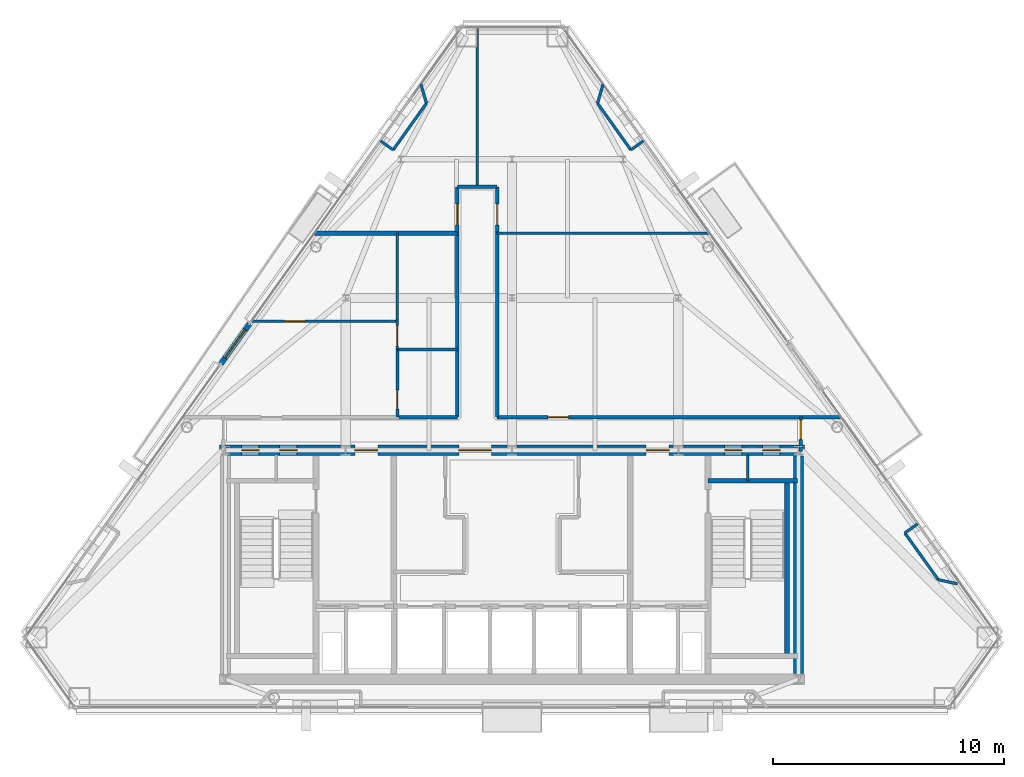
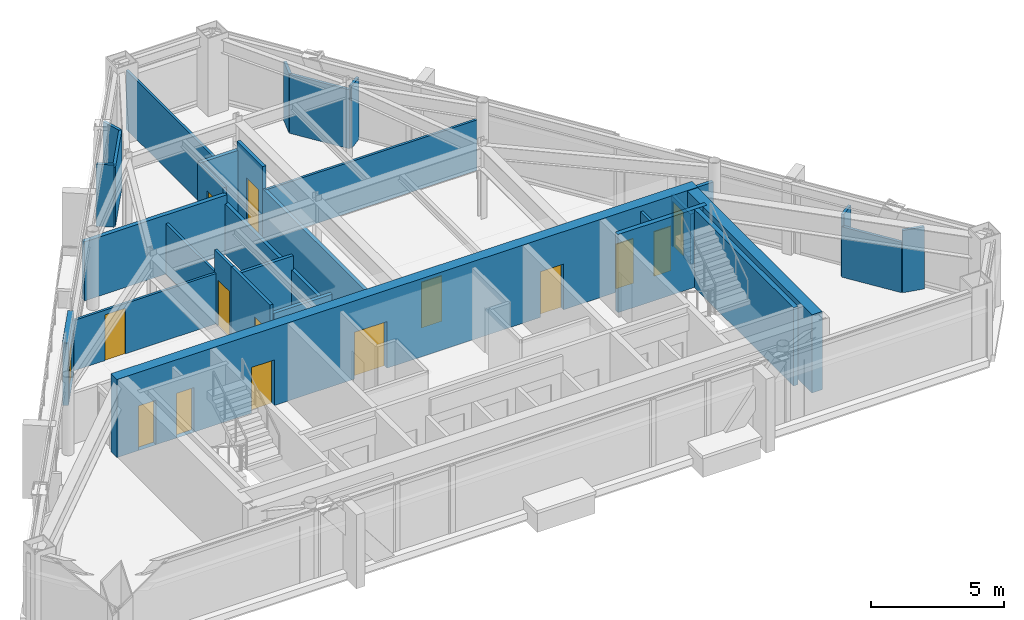
# One storey, part 9 of 12: 31 walls, 15 doors, 15 openings.
"""IFC4 building model written with IfcOpenShell, lengths in metres."""

from ifc_helpers import new_model, si_unit, direction, frame, frame_2d, origin, place, context, subcontext, project, spatial, rectangle, extrude, material, layer, layer_set, type_object, element, fill, save


model = new_model("IFC4")

# Units and contexts
model_context = context("Model", 3, precision=1e-05, world=origin(), true_north=direction((0.0, 1.0)))
body_context = subcontext(model_context, "Body", "Model", "MODEL_VIEW")
ifc_project = project(units=[si_unit("LENGTHUNIT", "METRE"), si_unit("AREAUNIT", "SQUARE_METRE"), si_unit("VOLUMEUNIT", "CUBIC_METRE"), si_unit("PLANEANGLEUNIT", "RADIAN"), si_unit("MASSUNIT", "GRAM", prefix="KILO")], contexts=[model_context])

# Site, building, storey
site_placement = place(None, origin())
site = spatial("IfcSite", under=ifc_project, at=site_placement, CompositionType="ELEMENT")
building_placement = place(site_placement, origin())
building = spatial("IfcBuilding", under=site, at=building_placement, Name="Talgorran Terracotta Tower", CompositionType="ELEMENT")
storey_placement = place(building_placement, frame((0.0, 0.0, 270.60009765625)))
storey = spatial("IfcBuildingStorey", under=building, at=storey_placement, Name="L71", CompositionType="ELEMENT", Elevation=270.60009765625)

# Wall, opening, door
ifc_material_1 = material(Name="Concrete C40/50", Category="concrete")
ifc_layer_1 = layer(ifc_material_1, 0.239990234375, Name="WT_BALCONY_SPAND")
ifc_layer_set_1 = layer_set([ifc_layer_1], Name="Concrete C40/50")
wall_type_1 = type_object("IfcWallType", Name="WT_BALCONY_SPAND", PredefinedType="STANDARD", material=ifc_layer_set_1)
wall_1_placement = place(storey_placement, frame((-11.361083984375, 1.281005859375, -0.01513671875), z_axis=(0.0, 0.0, 1.0), x_axis=(-0.581702133873, -0.813401885569, 0.0)))
wall_1 = element("IfcWall", 1, at=wall_1_placement, inside=storey, type_object=wall_type_1, Name="WL-L71-BALP-BAL-NW", PredefinedType="STANDARD", context=body_context, shape_type="SweptSolid", body=[
    extrude(rectangle(XDim=2.14013671875, YDim=0.239990234375, at=frame_2d((1.070068359375, 0.0))), origin(), (0.0, 0.0, 1.0), 2.8779296875),
])
opening_1_placement = place(wall_1_placement, frame((0.320068359375, 0.0, 0.014892578125)))
opening_1 = element("IfcOpeningElement", 2, at=opening_1_placement, cuts=wall_1, Name="Opening D-BAL-L71-2", PredefinedType="OPENING", context=body_context, shape_type="SweptSolid", body=[
    extrude(rectangle(XDim=1.506, YDim=2.203951171875, at=frame_2d((0.75, 1.10205078125))), frame((0.0, 0.1298828125, 0.0), z_axis=(0.0, -1.0, 0.0), x_axis=(1.0, 0.0, 0.0)), (0.0, 0.0, 1.0), 0.260009765625),
])
ifc_material_2 = material(Name="Thermally Broken Aluminium", Category="aluminium")
door_type_1 = type_object("IfcDoorType", Name="DT_BALC_1500", OperationType="SLIDING_TO_RIGHT", PredefinedType="DOOR", material=ifc_material_2)
door_1_placement = place(opening_1_placement, origin())
door_1 = element("IfcDoor", 3, at=door_1_placement, inside=storey, type_object=door_type_1, Name="DR-L71-BAL-BAL-NW", OperationType="SLIDING_TO_RIGHT", OverallHeight=2.199951171875, OverallWidth=1.5, PredefinedType="DOOR", context=body_context, shape_type="SweptSolid", body=[
    extrude(rectangle(XDim=1.5, YDim=2.199951171875, at=frame_2d((0.75, 1.10009765625))), frame((0.0, 0.02490234375, 0.0), z_axis=(0.0, -1.0, 0.0), x_axis=(1.0, 0.0, 0.0)), (0.0, 0.0, 1.0), 0.050048828125),
])
fill(opening_1, door_1)

# Walls
ifc_material_3 = material(Name="Concrete C50/60", Category="concrete")
ifc_layer_2 = layer(ifc_material_3, 0.199951171875, Name="WT_CORE_200")
ifc_layer_set_2 = layer_set([ifc_layer_2], Name="Concrete C50/60")
wall_type_2 = type_object("IfcWallType", Name="WT_CORE_200", PredefinedType="SOLIDWALL", material=ifc_layer_set_2)
wall_2_placement = place(storey_placement, frame((8.47998046875, -5.52001953125, 0.0), z_axis=(0.0, 0.0, 1.0), x_axis=(1.0, 0.0, 0.0)))
element("IfcWall", 4, at=wall_2_placement, inside=storey, type_object=wall_type_2, Name="WL-L71-CW-ST2-N", PredefinedType="SOLIDWALL", context=body_context, shape_type="SweptSolid", body=[
    extrude(rectangle(XDim=3.8701171875, YDim=0.199951171875, at=frame_2d((1.93505859375, 0.0))), origin(), (0.0, 0.0, 1.0), 3.599853515625),
])
wall_3_placement = place(storey_placement, frame((11.89990234375, -13.10009765625, 0.0), z_axis=(0.0, 0.0, 1.0), x_axis=(0.0, 1.0, 0.0)))
element("IfcWall", 5, at=wall_3_placement, inside=storey, type_object=wall_type_2, Name="WL-L71-CW-ST2-E", PredefinedType="SOLIDWALL", context=body_context, shape_type="SweptSolid", body=[
    extrude(rectangle(XDim=7.580078125, YDim=0.199951171875, at=frame_2d((3.7900390625, 0.0))), origin(), (0.0, 0.0, 1.0), 3.599853515625),
])

# Wall, openings, doors
ifc_material_4 = material(Name="Concrete C65/80", Category="concrete")
ifc_layer_3 = layer(ifc_material_4, 0.449951171875, Name="WT_CORE_EXT")
ifc_layer_set_3 = layer_set([ifc_layer_3], Name="Concrete C65/80")
wall_type_3 = type_object("IfcWallType", Name="WT_CORE_EXT", PredefinedType="SHEAR", material=ifc_layer_set_3)
wall_4_placement = place(storey_placement, frame((-12.64990234375, -4.199951171875, 0.0), z_axis=(0.0, 0.0, 1.0), x_axis=(1.0, 0.0, 0.0)))
wall_4 = element("IfcWall", 6, at=wall_4_placement, inside=storey, type_object=wall_type_3, Name="WL-L71-CW-OUT-N", PredefinedType="SHEAR", context=body_context, shape_type="SweptSolid", body=[
    extrude(rectangle(XDim=25.2998046875, YDim=0.449951171875, at=frame_2d((12.64990234375, 0.0))), origin(), (0.0, 0.0, 1.0), 3.599853515625),
])
opening_2_placement = place(wall_4_placement, frame((0.949951171875, 0.0, 0.0)))
opening_2 = element("IfcOpeningElement", 7, at=opening_2_placement, cuts=wall_4, Name="Opening DR-CSN1", PredefinedType="OPENING", context=body_context, shape_type="SweptSolid", body=[
    extrude(rectangle(XDim=0.756, YDim=2.054048828125, at=frame_2d((0.375, 1.027099609375))), frame((0.0, 0.23486328125, 0.0), z_axis=(0.0, -1.0, 0.0), x_axis=(1.0, 0.0, 0.0)), (0.0, 0.0, 1.0), 0.469970703125),
])
opening_3_placement = place(wall_4_placement, frame((2.60009765625, 0.0, 0.0)))
opening_3 = element("IfcOpeningElement", 8, at=opening_3_placement, cuts=wall_4, Name="Opening DR-CSN2", PredefinedType="OPENING", context=body_context, shape_type="SweptSolid", body=[
    extrude(rectangle(XDim=0.756, YDim=2.054048828125, at=frame_2d((0.375, 1.027099609375))), frame((0.0, 0.23486328125, 0.0), z_axis=(0.0, -1.0, 0.0), x_axis=(1.0, 0.0, 0.0)), (0.0, 0.0, 1.0), 0.469970703125),
])
opening_4_placement = place(wall_4_placement, frame((21.85009765625, 0.0, 0.0)))
opening_4 = element("IfcOpeningElement", 9, at=opening_4_placement, cuts=wall_4, Name="Opening DR-CSN3", PredefinedType="OPENING", context=body_context, shape_type="SweptSolid", body=[
    extrude(rectangle(XDim=0.756, YDim=2.054048828125, at=frame_2d((0.375, 1.027099609375))), frame((0.0, 0.23486328125, 0.0), z_axis=(0.0, -1.0, 0.0), x_axis=(1.0, 0.0, 0.0)), (0.0, 0.0, 1.0), 0.469970703125),
])
opening_5_placement = place(wall_4_placement, frame((23.5, 0.0, 0.0)))
opening_5 = element("IfcOpeningElement", 10, at=opening_5_placement, cuts=wall_4, Name="Opening DR-CSN4", PredefinedType="OPENING", context=body_context, shape_type="SweptSolid", body=[
    extrude(rectangle(XDim=0.756, YDim=2.054048828125, at=frame_2d((0.375, 1.027099609375))), frame((0.0, 0.23486328125, 0.0), z_axis=(0.0, -1.0, 0.0), x_axis=(1.0, 0.0, 0.0)), (0.0, 0.0, 1.0), 0.469970703125),
])
opening_6_placement = place(wall_4_placement, frame((5.85009765625, 0.0, 0.0)))
opening_6 = element("IfcOpeningElement", 11, at=opening_6_placement, cuts=wall_4, Name="Opening DR-FFLW-N", PredefinedType="OPENING", context=body_context, shape_type="SweptSolid", body=[
    extrude(rectangle(XDim=1.006, YDim=2.10409765625, at=frame_2d((0.5, 1.052001953125))), frame((0.0, 0.23486328125, 0.0), z_axis=(0.0, -1.0, 0.0), x_axis=(1.0, 0.0, 0.0)), (0.0, 0.0, 1.0), 0.469970703125),
])
opening_7_placement = place(wall_4_placement, frame((10.35009765625, 0.0, 0.0)))
opening_7 = element("IfcOpeningElement", 12, at=opening_7_placement, cuts=wall_4, Name="Opening DR-PLL-N", PredefinedType="OPENING", context=body_context, shape_type="SweptSolid", body=[
    extrude(rectangle(XDim=1.40590234375, YDim=2.15390234375, at=frame_2d((0.699951171875, 1.076904296875))), frame((0.0, 0.23486328125, 0.0), z_axis=(0.0, -1.0, 0.0), x_axis=(1.0, 0.0, 0.0)), (0.0, 0.0, 1.0), 0.469970703125),
])
opening_8_placement = place(wall_4_placement, frame((18.449951171875, 0.0, 0.0)))
opening_8 = element("IfcOpeningElement", 13, at=opening_8_placement, cuts=wall_4, Name="Opening DR-FFLE-N", PredefinedType="OPENING", context=body_context, shape_type="SweptSolid", body=[
    extrude(rectangle(XDim=1.006, YDim=2.10409765625, at=frame_2d((0.5, 1.052001953125))), frame((0.0, 0.23486328125, 0.0), z_axis=(0.0, -1.0, 0.0), x_axis=(1.0, 0.0, 0.0)), (0.0, 0.0, 1.0), 0.469970703125),
])
ifc_material_5 = material(Name="Acoustic Glazed Timber", Category="wood")
door_type_2 = type_object("IfcDoorType", Name="DT_DOUBLE_1400", OperationType="DOUBLE_DOOR_SINGLE_SWING", PredefinedType="DOOR", material=ifc_material_5)
door_2_placement = place(opening_7_placement, origin())
door_2 = element("IfcDoor", 14, at=door_2_placement, inside=storey, type_object=door_type_2, Name="DR-PLL-N", OperationType="DOUBLE_DOOR_SINGLE_SWING", OverallHeight=2.14990234375, OverallWidth=1.39990234375, PredefinedType="DOOR", context=body_context, shape_type="SweptSolid", body=[
    extrude(rectangle(XDim=1.39990234375, YDim=2.14990234375, at=frame_2d((0.699951171875, 1.074951171875))), frame((0.0, 0.02490234375, 0.0), z_axis=(0.0, -1.0, 0.0), x_axis=(1.0, 0.0, 0.0)), (0.0, 0.0, 1.0), 0.050048828125),
])
fill(opening_7, door_2)
ifc_material_6 = material(Name="Fire-Rated Pressed Steel", Category="steel")
door_type_3 = type_object("IfcDoorType", Name="DT_FIRE_1000", OperationType="NOTDEFINED", PredefinedType="DOOR", material=ifc_material_6)
door_3_placement = place(opening_6_placement, origin())
door_3 = element("IfcDoor", 15, at=door_3_placement, inside=storey, type_object=door_type_3, Name="DR-FFLW-N", OperationType="SINGLE_SWING_LEFT", OverallHeight=2.10009765625, OverallWidth=1.0, PredefinedType="DOOR", context=body_context, shape_type="SweptSolid", body=[
    extrude(rectangle(XDim=1.0, YDim=2.10009765625, at=frame_2d((0.5, 1.050048828125))), frame((0.0, 0.02490234375, 0.0), z_axis=(0.0, -1.0, 0.0), x_axis=(1.0, 0.0, 0.0)), (0.0, 0.0, 1.0), 0.050048828125),
])
fill(opening_6, door_3)
door_4_placement = place(opening_8_placement, origin())
door_4 = element("IfcDoor", 16, at=door_4_placement, inside=storey, type_object=door_type_3, Name="DR-FFLE-N", OperationType="SINGLE_SWING_RIGHT", OverallHeight=2.10009765625, OverallWidth=1.0, PredefinedType="DOOR", context=body_context, shape_type="SweptSolid", body=[
    extrude(rectangle(XDim=1.0, YDim=2.10009765625, at=frame_2d((0.5, 1.050048828125))), frame((0.0, 0.02490234375, 0.0), z_axis=(0.0, -1.0, 0.0), x_axis=(1.0, 0.0, 0.0)), (0.0, 0.0, 1.0), 0.050048828125),
])
fill(opening_8, door_4)
door_type_4 = type_object("IfcDoorType", Name="DT_RISER_750", OperationType="NOTDEFINED", PredefinedType="DOOR", material=ifc_material_6)
door_5_placement = place(opening_2_placement, origin())
door_5 = element("IfcDoor", 17, at=door_5_placement, inside=storey, type_object=door_type_4, Name="DR-CSN1", OperationType="SINGLE_SWING_LEFT", OverallHeight=2.050048828125, OverallWidth=0.75, PredefinedType="DOOR", context=body_context, shape_type="SweptSolid", body=[
    extrude(rectangle(XDim=0.75, YDim=2.050048828125, at=frame_2d((0.375, 1.02490234375))), frame((0.0, 0.02490234375, 0.0), z_axis=(0.0, -1.0, 0.0), x_axis=(1.0, 0.0, 0.0)), (0.0, 0.0, 1.0), 0.050048828125),
])
fill(opening_2, door_5)
door_6_placement = place(opening_3_placement, origin())
door_6 = element("IfcDoor", 18, at=door_6_placement, inside=storey, type_object=door_type_4, Name="DR-CSN2", OperationType="SINGLE_SWING_RIGHT", OverallHeight=2.050048828125, OverallWidth=0.75, PredefinedType="DOOR", context=body_context, shape_type="SweptSolid", body=[
    extrude(rectangle(XDim=0.75, YDim=2.050048828125, at=frame_2d((0.375, 1.02490234375))), frame((0.0, 0.02490234375, 0.0), z_axis=(0.0, -1.0, 0.0), x_axis=(1.0, 0.0, 0.0)), (0.0, 0.0, 1.0), 0.050048828125),
])
fill(opening_3, door_6)
door_7_placement = place(opening_4_placement, origin())
door_7 = element("IfcDoor", 19, at=door_7_placement, inside=storey, type_object=door_type_4, Name="DR-CSN3", OperationType="SINGLE_SWING_LEFT", OverallHeight=2.050048828125, OverallWidth=0.75, PredefinedType="DOOR", context=body_context, shape_type="SweptSolid", body=[
    extrude(rectangle(XDim=0.75, YDim=2.050048828125, at=frame_2d((0.375, 1.02490234375))), frame((0.0, 0.02490234375, 0.0), z_axis=(0.0, -1.0, 0.0), x_axis=(1.0, 0.0, 0.0)), (0.0, 0.0, 1.0), 0.050048828125),
])
fill(opening_4, door_7)
door_8_placement = place(opening_5_placement, origin())
door_8 = element("IfcDoor", 20, at=door_8_placement, inside=storey, type_object=door_type_4, Name="DR-CSN4", OperationType="SINGLE_SWING_RIGHT", OverallHeight=2.050048828125, OverallWidth=0.75, PredefinedType="DOOR", context=body_context, shape_type="SweptSolid", body=[
    extrude(rectangle(XDim=0.75, YDim=2.050048828125, at=frame_2d((0.375, 1.02490234375))), frame((0.0, 0.02490234375, 0.0), z_axis=(0.0, -1.0, 0.0), x_axis=(1.0, 0.0, 0.0)), (0.0, 0.0, 1.0), 0.050048828125),
])
fill(opening_5, door_8)

# Wall
wall_5_placement = place(storey_placement, frame((12.39990234375, -13.85009765625, 0.0), z_axis=(0.0, 0.0, 1.0), x_axis=(0.0, 1.0, 0.0)))
element("IfcWall", 21, at=wall_5_placement, inside=storey, type_object=wall_type_3, Name="WL-L71-CW-OUT-E", PredefinedType="SHEAR", context=body_context, shape_type="SweptSolid", body=[
    extrude(rectangle(XDim=9.400146484375, YDim=0.449951171875, at=frame_2d((4.7001953125, 0.0))), origin(), (0.0, 0.0, 1.0), 3.599853515625),
])

# Wall, opening, door
ifc_material_7 = material(Name="Fire-Rated Steel Stud Plasterboard", Category="steel")
ifc_layer_4 = layer(ifc_material_7, 0.14990234375, Name="WT_FIRE_150")
ifc_layer_set_4 = layer_set([ifc_layer_4], Name="Fire-Rated Steel Stud Plasterboard")
wall_type_4 = type_object("IfcWallType", Name="WT_FIRE_150", PredefinedType="PARTITIONING", material=ifc_layer_set_4)
wall_6_placement = place(storey_placement, frame((-0.639892578125, -2.760009765625, 0.0), z_axis=(0.0, 0.0, 1.0), x_axis=(1.0, 0.0, 0.0)))
wall_6 = element("IfcWall", 22, at=wall_6_placement, inside=storey, type_object=wall_type_4, Name="WL-L71-W-L71-R12", PredefinedType="PARTITIONING", context=body_context, shape_type="SweptSolid", body=[
    extrude(rectangle(XDim=14.89111328125, YDim=0.14990234375, at=frame_2d((7.445556640625, 0.0))), origin(), (0.0, 0.0, 1.0), 2.31982421875),
])
opening_9_placement = place(wall_6_placement, frame((2.193115234375, 0.0, 0.0)))
opening_9 = element("IfcOpeningElement", 23, at=opening_9_placement, cuts=wall_6, Name="Opening DR-L71-R09", PredefinedType="OPENING", context=body_context, shape_type="SweptSolid", body=[
    extrude(rectangle(XDim=0.90590234375, YDim=2.10409765625, at=frame_2d((0.449951171875, 1.052001953125))), frame((0.0, 0.0849609375, 0.0), z_axis=(0.0, -1.0, 0.0), x_axis=(1.0, 0.0, 0.0)), (0.0, 0.0, 1.0), 0.169921875),
])
ifc_material_8 = material(Name="Fire-Rated Timber Core", Category="wood")
door_type_5 = type_object("IfcDoorType", Name="DT_FIRE_900", OperationType="NOTDEFINED", PredefinedType="DOOR", material=ifc_material_8)
door_9_placement = place(opening_9_placement, origin())
door_9 = element("IfcDoor", 24, at=door_9_placement, inside=storey, type_object=door_type_5, Name="DR-L71-R09", OperationType="SINGLE_SWING_LEFT", OverallHeight=2.10009765625, OverallWidth=0.89990234375, PredefinedType="DOOR", context=body_context, shape_type="SweptSolid", body=[
    extrude(rectangle(XDim=0.89990234375, YDim=2.10009765625, at=frame_2d((0.449951171875, 1.050048828125))), frame((0.0, 0.02490234375, 0.0), z_axis=(0.0, -1.0, 0.0), x_axis=(1.0, 0.0, 0.0)), (0.0, 0.0, 1.0), 0.050048828125),
])
fill(opening_9, door_9)

# Walls
for number, where, z_axis, x_axis, name in (
    (25, (-0.639892578125, -2.760009765625, 0.0), (0.0, 0.0, 1.0), (0.0, 1.0, 0.0), "WL-L71-W-L71-R11"),
    (26, (-2.360107421875, -2.760009765625, 0.0), (0.0, 0.0, 1.0), (0.0, 1.0, 0.0), "WL-L71-W-L71-R05"),
):
    element("IfcWall", number, at=place(storey_placement, frame(where, z_axis=z_axis, x_axis=x_axis)), inside=storey, type_object=wall_type_4, Name=name, PredefinedType="PARTITIONING", context=body_context, shape_type="SweptSolid", body=[
        extrude(rectangle(XDim=8.02001953125, YDim=0.14990234375, at=frame_2d((4.010009765625, 0.0))), origin(), (0.0, 0.0, 1.0), 2.31982421875),
    ])
wall_7_placement = place(storey_placement, frame((-4.89794921875, -2.760009765625, 0.0), z_axis=(0.0, 0.0, 1.0), x_axis=(1.0, 0.0, 0.0)))
element("IfcWall", 27, at=wall_7_placement, inside=storey, type_object=wall_type_4, Name="WL-L71-W-L71-R03", PredefinedType="PARTITIONING", context=body_context, shape_type="SweptSolid", body=[
    extrude(rectangle(XDim=2.537841796875, YDim=0.14990234375, at=frame_2d((1.26904296875, 0.0))), origin(), (0.0, 0.0, 1.0), 2.96435546875),
])

# Wall, opening, door
wall_8_placement = place(storey_placement, frame((-2.360107421875, 5.261962890625, 0.0), z_axis=(0.0, 0.0, 1.0), x_axis=(0.0, 1.0, 0.0)))
wall_8 = element("IfcWall", 28, at=wall_8_placement, inside=storey, type_object=wall_type_4, Name="WL-L71-W-L71-R07", PredefinedType="PARTITIONING", context=body_context, shape_type="SweptSolid", body=[
    extrude(rectangle(XDim=1.93798828125, YDim=0.14990234375, at=frame_2d((0.968994140625, 0.0))), origin(), (0.0, 0.0, 1.0), 2.96435546875),
])
opening_10_placement = place(wall_8_placement, frame((0.3046875, 0.0, 0.0)))
opening_10 = element("IfcOpeningElement", 29, at=opening_10_placement, cuts=wall_8, Name="Opening DR-L71-R07", PredefinedType="OPENING", context=body_context, shape_type="SweptSolid", body=[
    extrude(rectangle(XDim=0.90590234375, YDim=2.10409765625, at=frame_2d((0.449951171875, 1.052001953125))), frame((0.0, 0.0849609375, 0.0), z_axis=(0.0, -1.0, 0.0), x_axis=(1.0, 0.0, 0.0)), (0.0, 0.0, 1.0), 0.169921875),
])
door_10_placement = place(opening_10_placement, origin())
door_10 = element("IfcDoor", 30, at=door_10_placement, inside=storey, type_object=door_type_5, Name="DR-L71-R07", OperationType="SINGLE_SWING_LEFT", OverallHeight=2.10009765625, OverallWidth=0.89990234375, PredefinedType="DOOR", context=body_context, shape_type="SweptSolid", body=[
    extrude(rectangle(XDim=0.89990234375, YDim=2.10009765625, at=frame_2d((0.449951171875, 1.050048828125))), frame((0.0, 0.02490234375, 0.0), z_axis=(0.0, -1.0, 0.0), x_axis=(1.0, 0.0, 0.0)), (0.0, 0.0, 1.0), 0.050048828125),
])
fill(opening_10, door_10)

wall_9_placement = place(storey_placement, frame((-0.639892578125, 5.261962890625, 0.0), z_axis=(0.0, 0.0, 1.0), x_axis=(0.0, 1.0, 0.0)))
wall_9 = element("IfcWall", 31, at=wall_9_placement, inside=storey, type_object=wall_type_4, Name="WL-L71-W-L71-R10", PredefinedType="PARTITIONING", context=body_context, shape_type="SweptSolid", body=[
    extrude(rectangle(XDim=1.93798828125, YDim=0.14990234375, at=frame_2d((0.968994140625, 0.0))), origin(), (0.0, 0.0, 1.0), 3.344970703125),
])
opening_11_placement = place(wall_9_placement, frame((0.3046875, 0.0, 0.0)))
opening_11 = element("IfcOpeningElement", 32, at=opening_11_placement, cuts=wall_9, Name="Opening DR-L71-R08", PredefinedType="OPENING", context=body_context, shape_type="SweptSolid", body=[
    extrude(rectangle(XDim=0.90590234375, YDim=2.10409765625, at=frame_2d((0.449951171875, 1.052001953125))), frame((0.0, 0.0849609375, 0.0), z_axis=(0.0, -1.0, 0.0), x_axis=(1.0, 0.0, 0.0)), (0.0, 0.0, 1.0), 0.169921875),
])
door_11_placement = place(opening_11_placement, origin())
door_11 = element("IfcDoor", 33, at=door_11_placement, inside=storey, type_object=door_type_5, Name="DR-L71-R08", OperationType="SINGLE_SWING_RIGHT", OverallHeight=2.10009765625, OverallWidth=0.89990234375, PredefinedType="DOOR", context=body_context, shape_type="SweptSolid", body=[
    extrude(rectangle(XDim=0.89990234375, YDim=2.10009765625, at=frame_2d((0.449951171875, 1.050048828125))), frame((0.0, 0.02490234375, 0.0), z_axis=(0.0, -1.0, 0.0), x_axis=(1.0, 0.0, 0.0)), (0.0, 0.0, 1.0), 0.050048828125),
])
fill(opening_11, door_11)

wall_10_placement = place(storey_placement, frame((12.5, -4.239990234375, 0.0), z_axis=(0.0, 0.0, 1.0), x_axis=(0.0, 1.0, 0.0)))
wall_10 = element("IfcWall", 34, at=wall_10_placement, inside=storey, type_object=wall_type_4, Name="WL-L71-W-L71-R02", PredefinedType="PARTITIONING", context=body_context, shape_type="SweptSolid", body=[
    extrude(rectangle(XDim=1.47998046875, YDim=0.14990234375, at=frame_2d((0.739990234375, 0.0))), origin(), (0.0, 0.0, 1.0), 2.31982421875),
])
opening_12_placement = place(wall_10_placement, frame((0.521728515625, 0.0, 0.0)))
opening_12 = element("IfcOpeningElement", 35, at=opening_12_placement, cuts=wall_10, Name="Opening DR-L71-R02", PredefinedType="OPENING", context=body_context, shape_type="SweptSolid", body=[
    extrude(rectangle(XDim=0.826068359375, YDim=2.10409765625, at=frame_2d((0.41015625, 1.052001953125))), frame((0.0, 0.0849609375, 0.0), z_axis=(0.0, -1.0, 0.0), x_axis=(1.0, 0.0, 0.0)), (0.0, 0.0, 1.0), 0.169921875),
])
ifc_material_9 = material(Name="Moisture-Resistant Solid Timber", Category="wood")
door_type_6 = type_object("IfcDoorType", Name="DT_INT_820", OperationType="NOTDEFINED", PredefinedType="DOOR", material=ifc_material_9)
door_12_placement = place(opening_12_placement, origin())
door_12 = element("IfcDoor", 36, at=door_12_placement, inside=storey, type_object=door_type_6, Name="DR-L71-R02", OperationType="SINGLE_SWING_RIGHT", OverallHeight=2.10009765625, OverallWidth=0.820068359375, PredefinedType="DOOR", context=body_context, shape_type="SweptSolid", body=[
    extrude(rectangle(XDim=0.820068359375, YDim=2.10009765625, at=frame_2d((0.41015625, 1.050048828125))), frame((0.0, 0.02490234375, 0.0), z_axis=(0.0, -1.0, 0.0), x_axis=(1.0, 0.0, 0.0)), (0.0, 0.0, 1.0), 0.050048828125),
])
fill(opening_12, door_12)

# Walls
wall_11_placement = place(storey_placement, frame((-2.360107421875, 7.199951171875, 0.0), z_axis=(0.0, 0.0, 1.0), x_axis=(1.0, 0.0, 0.0)))
element("IfcWall", 37, at=wall_11_placement, inside=storey, type_object=wall_type_4, Name="WL-L71-W-L71-R09", PredefinedType="PARTITIONING", context=body_context, shape_type="SweptSolid", body=[
    extrude(rectangle(XDim=1.72021484375, YDim=0.14990234375, at=frame_2d((0.860107421875, 0.0))), origin(), (0.0, 0.0, 1.0), 2.96435546875),
])
ifc_material_10 = material(Name="Acoustic Stud and Plasterboard")
ifc_layer_5 = layer(ifc_material_10, 0.179931640625, Name="WT_PARTY_200")
ifc_layer_set_5 = layer_set([ifc_layer_5], Name="Acoustic Stud and Plasterboard")
wall_type_5 = type_object("IfcWallType", Name="WT_PARTY_200", PredefinedType="PARTITIONING", material=ifc_layer_set_5)
wall_12_placement = place(storey_placement, frame((-8.55810546875, 5.199951171875, 0.0), z_axis=(0.0, 0.0, 1.0), x_axis=(1.0, 0.0, 0.0)))
element("IfcWall", 38, at=wall_12_placement, inside=storey, type_object=wall_type_5, Name="WL-L71-W-L71-R19", PredefinedType="PARTITIONING", context=body_context, shape_type="SweptSolid", body=[
    extrude(rectangle(XDim=6.197998046875, YDim=0.179931640625, at=frame_2d((3.09912109375, 0.0))), origin(), (0.0, 0.0, 1.0), 2.718017578125),
])
ifc_material_11 = material(Name="Lightweight Steel Stud Partition", Category="steel")
ifc_layer_6 = layer(ifc_material_11, 0.10498046875, Name="WT_PART_110")
ifc_layer_set_6 = layer_set([ifc_layer_6], Name="Lightweight Steel Stud Partition")
wall_type_6 = type_object("IfcWallType", Name="WT_PART_110", PredefinedType="PARTITIONING", material=ifc_layer_set_6)
wall_13_placement = place(storey_placement, frame((-0.639892578125, 5.199951171875, 0.0), z_axis=(0.0, 0.0, 1.0), x_axis=(1.0, 0.0, 0.0)))
element("IfcWall", 39, at=wall_13_placement, inside=storey, type_object=wall_type_6, Name="WL-L71-W-L71-R21", PredefinedType="PARTITIONING", context=body_context, shape_type="SweptSolid", body=[
    extrude(rectangle(XDim=9.197998046875, YDim=0.10498046875, at=frame_2d((4.59912109375, 0.0))), origin(), (0.0, 0.0, 1.0), 2.31982421875),
])
wall_14_placement = place(storey_placement, frame((-1.5, 7.199951171875, 0.0), z_axis=(0.0, 0.0, 1.0), x_axis=(0.0, 1.0, 0.0)))
element("IfcWall", 40, at=wall_14_placement, inside=storey, type_object=wall_type_6, Name="WL-L71-W-L71-R20", PredefinedType="PARTITIONING", context=body_context, shape_type="SweptSolid", body=[
    extrude(rectangle(XDim=6.916748046875, YDim=0.10498046875, at=frame_2d((3.45849609375, 0.0))), origin(), (0.0, 0.0, 1.0), 2.718017578125),
])

# Wall, opening, door
wall_15_placement = place(storey_placement, frame((-11.290283203125, 1.3798828125, 0.0), z_axis=(0.0, 0.0, 1.0), x_axis=(1.0, 0.0, 0.0)))
wall_15 = element("IfcWall", 41, at=wall_15_placement, inside=storey, type_object=wall_type_6, Name="WL-L71-W-L71-R18", PredefinedType="PARTITIONING", context=body_context, shape_type="SweptSolid", body=[
    extrude(rectangle(XDim=6.330322265625, YDim=0.10498046875, at=frame_2d((3.1650390625, 0.0))), origin(), (0.0, 0.0, 1.0), 2.31982421875),
])
opening_13_placement = place(wall_15_placement, frame((1.4501953125, 0.0, 0.0)))
opening_13 = element("IfcOpeningElement", 42, at=opening_13_placement, cuts=wall_15, Name="Opening DR-L71-R06", PredefinedType="OPENING", context=body_context, shape_type="SweptSolid", body=[
    extrude(rectangle(XDim=0.8858828125, YDim=2.10409765625, at=frame_2d((0.43994140625, 1.052001953125))), frame((0.0, 0.0625, 0.0), z_axis=(0.0, -1.0, 0.0), x_axis=(1.0, 0.0, 0.0)), (0.0, 0.0, 1.0), 0.125),
])
ifc_material_12 = material(Name="Solid-Core Painted Timber", Category="wood")
door_type_7 = type_object("IfcDoorType", Name="DT_INT_880", OperationType="NOTDEFINED", PredefinedType="DOOR", material=ifc_material_12)
door_13_placement = place(opening_13_placement, origin())
door_13 = element("IfcDoor", 43, at=door_13_placement, inside=storey, type_object=door_type_7, Name="DR-L71-R06", OperationType="SINGLE_SWING_RIGHT", OverallHeight=2.10009765625, OverallWidth=0.8798828125, PredefinedType="DOOR", context=body_context, shape_type="SweptSolid", body=[
    extrude(rectangle(XDim=0.8798828125, YDim=2.10009765625, at=frame_2d((0.43994140625, 1.050048828125))), frame((0.0, 0.02490234375, 0.0), z_axis=(0.0, -1.0, 0.0), x_axis=(1.0, 0.0, 0.0)), (0.0, 0.0, 1.0), 0.050048828125),
])
fill(opening_13, door_13)

# Wall
wall_16_placement = place(storey_placement, frame((-4.9599609375, 1.320068359375, 0.0), z_axis=(0.0, 0.0, 1.0), x_axis=(0.0, 1.0, 0.0)))
element("IfcWall", 44, at=wall_16_placement, inside=storey, type_object=wall_type_6, Name="WL-L71-W-L71-R16", PredefinedType="PARTITIONING", context=body_context, shape_type="SweptSolid", body=[
    extrude(rectangle(XDim=3.8798828125, YDim=0.10498046875, at=frame_2d((1.93994140625, 0.0))), origin(), (0.0, 0.0, 1.0), 2.31982421875),
])

# Wall, opening, door
wall_17_placement = place(storey_placement, frame((-4.9599609375, 0.159912109375, 0.0), z_axis=(0.0, 0.0, 1.0), x_axis=(0.0, 1.0, 0.0)))
wall_17 = element("IfcWall", 45, at=wall_17_placement, inside=storey, type_object=wall_type_6, Name="WL-L71-W-L71-R15", PredefinedType="PARTITIONING", context=body_context, shape_type="SweptSolid", body=[
    extrude(rectangle(XDim=1.280029296875, YDim=0.10498046875, at=frame_2d((0.64013671875, 0.0))), origin(), (0.0, 0.0, 1.0), 3.344970703125),
])
opening_14_placement = place(wall_17_placement, frame((0.152099609375, 0.0, 0.0)))
opening_14 = element("IfcOpeningElement", 46, at=opening_14_placement, cuts=wall_17, Name="Opening DR-L71-R04", PredefinedType="OPENING", context=body_context, shape_type="SweptSolid", body=[
    extrude(rectangle(XDim=0.8858828125, YDim=2.10409765625, at=frame_2d((0.43994140625, 1.052001953125))), frame((0.0, 0.0625, 0.0), z_axis=(0.0, -1.0, 0.0), x_axis=(1.0, 0.0, 0.0)), (0.0, 0.0, 1.0), 0.125),
])
door_14_placement = place(opening_14_placement, origin())
door_14 = element("IfcDoor", 47, at=door_14_placement, inside=storey, type_object=door_type_7, Name="DR-L71-R04", OperationType="SINGLE_SWING_RIGHT", OverallHeight=2.10009765625, OverallWidth=0.8798828125, PredefinedType="DOOR", context=body_context, shape_type="SweptSolid", body=[
    extrude(rectangle(XDim=0.8798828125, YDim=2.10009765625, at=frame_2d((0.43994140625, 1.050048828125))), frame((0.0, 0.02490234375, 0.0), z_axis=(0.0, -1.0, 0.0), x_axis=(1.0, 0.0, 0.0)), (0.0, 0.0, 1.0), 0.050048828125),
])
fill(opening_14, door_14)

# Walls
ifc_material_13 = material(Name="Insulated Steel Stud Plasterboard", Category="steel")
ifc_layer_7 = layer(ifc_material_13, 0.1201171875, Name="WT_PART_120")
ifc_layer_set_7 = layer_set([ifc_layer_7], Name="Insulated Steel Stud Plasterboard")
wall_type_7 = type_object("IfcWallType", Name="WT_PART_120", PredefinedType="PARTITIONING", material=ifc_layer_set_7)
wall_18_placement = place(storey_placement, frame((10.199951171875, -5.52001953125, 0.0), z_axis=(0.0, 0.0, 1.0), x_axis=(0.0, 1.0, 0.0)))
element("IfcWall", 48, at=wall_18_placement, inside=storey, type_object=wall_type_7, Name="WL-L71-CW-CSE-DIV", PredefinedType="PARTITIONING", context=body_context, shape_type="SweptSolid", body=[
    extrude(rectangle(XDim=1.1201171875, YDim=0.1201171875, at=frame_2d((0.56005859375, 0.0))), origin(), (0.0, 0.0, 1.0), 3.344970703125),
])
for number, where, z_axis, x_axis, name in (
    (49, (-3.701171875, 10.822021484375, 0.0), (0.0, 0.0, 1.0), (-0.581750206082, -0.813367504713, 0.0), "WL-L71-BW-L71-14"),
    (50, (5.14404296875, 8.8046875, 0.0), (0.0, 0.0, 1.0), (-0.581750206082, 0.813367504713, 0.0), "WL-L71-BW-L71-17"),
):
    element("IfcWall", number, at=place(storey_placement, frame(where, z_axis=z_axis, x_axis=x_axis)), inside=storey, type_object=wall_type_7, Name=name, PredefinedType="PARTITIONING", context=body_context, shape_type="SweptSolid", body=[
        extrude(rectangle(XDim=2.480224609375, YDim=0.1201171875, at=frame_2d((1.240234375, 0.0))), origin(), (0.0, 0.0, 1.0), 2.718017578125),
    ])
wall_19_placement = place(storey_placement, frame((18.4453125, -9.793212890625, 0.0), z_axis=(0.0, 0.0, 1.0), x_axis=(-0.581731659236, 0.813380769777, 0.0)))
element("IfcWall", 51, at=wall_19_placement, inside=storey, type_object=wall_type_7, Name="WL-L71-BW-L71-12", PredefinedType="PARTITIONING", context=body_context, shape_type="SweptSolid", body=[
    extrude(rectangle(XDim=2.47998046875, YDim=0.1201171875, at=frame_2d((1.239990234375, 0.0))), origin(), (0.0, 0.0, 1.0), 2.31982421875),
])
wall_20_placement = place(storey_placement, frame((19.2763671875, -9.9775390625, 0.0), z_axis=(0.0, 0.0, 1.0), x_axis=(-0.976274708093, 0.216535665279, 0.0)))
element("IfcWall", 52, at=wall_20_placement, inside=storey, type_object=wall_type_7, Name="WL-L71-BW-L71-11", PredefinedType="PARTITIONING", context=body_context, shape_type="SweptSolid", body=[
    extrude(rectangle(XDim=0.851318359375, YDim=0.1201171875, at=frame_2d((0.42578125, 0.0))), origin(), (0.0, 0.0, 1.0), 2.86279296875),
])
for number, where, z_axis, x_axis, name in (
    (53, (-3.941162109375, 11.63818359375, 0.0), (0.0, 0.0, 1.0), (0.28210417424, -0.959383778723, 0.0), "WL-L71-BW-L71-13"),
    (54, (3.701171875, 10.822021484375, 0.0), (0.0, 0.0, 1.0), (0.28210417424, 0.959383778723, 0.0), "WL-L71-BW-L71-18"),
):
    element("IfcWall", number, at=place(storey_placement, frame(where, z_axis=z_axis, x_axis=x_axis)), inside=storey, type_object=wall_type_7, Name=name, PredefinedType="PARTITIONING", context=body_context, shape_type="SweptSolid", body=[
        extrude(rectangle(XDim=0.850830078125, YDim=0.1201171875, at=frame_2d((0.42529296875, 0.0))), origin(), (0.0, 0.0, 1.0), 2.718017578125),
    ])
for number, where, z_axis, x_axis, name in (
    (55, (17.002685546875, -7.776123046875, 0.0), (0.0, 0.0, 1.0), (0.813265440227, 0.581892879947, 0.0), "WL-L71-BW-L71-10"),
    (56, (-5.14404296875, 8.8046875, 0.0), (0.0, 0.0, 1.0), (-0.813265440227, 0.581892879947, 0.0), "WL-L71-BW-L71-15"),
    (57, (5.68896484375, 9.194580078125, 0.0), (0.0, 0.0, 1.0), (-0.813265440227, -0.581892879947, 0.0), "WL-L71-BW-L71-16"),
):
    element("IfcWall", number, at=place(storey_placement, frame(where, z_axis=z_axis, x_axis=x_axis)), inside=storey, type_object=wall_type_7, Name=name, PredefinedType="PARTITIONING", context=body_context, shape_type="SweptSolid", body=[
        extrude(rectangle(XDim=0.669921875, YDim=0.1201171875, at=frame_2d((0.3349609375, 0.0))), origin(), (0.0, 0.0, 1.0), 2.86279296875),
    ])

# Wall, opening, door
ifc_material_14 = material(Name="Moisture-Resistant Stud Wall")
ifc_layer_8 = layer(ifc_material_14, 0.135009765625, Name="WT_PART_135")
ifc_layer_set_8 = layer_set([ifc_layer_8], Name="Moisture-Resistant Stud Wall")
wall_type_8 = type_object("IfcWallType", Name="WT_PART_135", PredefinedType="PARTITIONING", material=ifc_layer_set_8)
wall_21_placement = place(storey_placement, frame((-4.9599609375, -2.760009765625, 0.0), z_axis=(0.0, 0.0, 1.0), x_axis=(0.0, 1.0, 0.0)))
wall_21 = element("IfcWall", 58, at=wall_21_placement, inside=storey, type_object=wall_type_8, Name="WL-L71-W-L71-R14", PredefinedType="PARTITIONING", context=body_context, shape_type="SweptSolid", body=[
    extrude(rectangle(XDim=2.919921875, YDim=0.135009765625, at=frame_2d((1.4599609375, 0.0))), origin(), (0.0, 0.0, 1.0), 3.344970703125),
])
opening_15_placement = place(wall_21_placement, frame((0.357421875, 0.0, 0.0)))
opening_15 = element("IfcOpeningElement", 59, at=opening_15_placement, cuts=wall_21, Name="Opening DR-L71-R03", PredefinedType="OPENING", context=body_context, shape_type="SweptSolid", body=[
    extrude(rectangle(XDim=0.826068359375, YDim=2.10409765625, at=frame_2d((0.41015625, 1.052001953125))), frame((0.0, 0.07763671875, 0.0), z_axis=(0.0, -1.0, 0.0), x_axis=(1.0, 0.0, 0.0)), (0.0, 0.0, 1.0), 0.155029296875),
])
door_15_placement = place(opening_15_placement, origin())
door_15 = element("IfcDoor", 60, at=door_15_placement, inside=storey, type_object=door_type_6, Name="DR-L71-R03", OperationType="SINGLE_SWING_LEFT", OverallHeight=2.10009765625, OverallWidth=0.820068359375, PredefinedType="DOOR", context=body_context, shape_type="SweptSolid", body=[
    extrude(rectangle(XDim=0.820068359375, YDim=2.10009765625, at=frame_2d((0.41015625, 1.050048828125))), frame((0.0, 0.02490234375, 0.0), z_axis=(0.0, -1.0, 0.0), x_axis=(1.0, 0.0, 0.0)), (0.0, 0.0, 1.0), 0.050048828125),
])
fill(opening_15, door_15)

# Wall
wall_22_placement = place(storey_placement, frame((-4.9599609375, 0.159912109375, 0.0), z_axis=(0.0, 0.0, 1.0), x_axis=(1.0, 0.0, 0.0)))
element("IfcWall", 61, at=wall_22_placement, inside=storey, type_object=wall_type_8, Name="WL-L71-W-L71-R13", PredefinedType="PARTITIONING", context=body_context, shape_type="SweptSolid", body=[
    extrude(rectangle(XDim=2.599853515625, YDim=0.135009765625, at=frame_2d((1.2998046875, 0.0))), origin(), (0.0, 0.0, 1.0), 2.96435546875),
])

save(model, "model.ifc")
